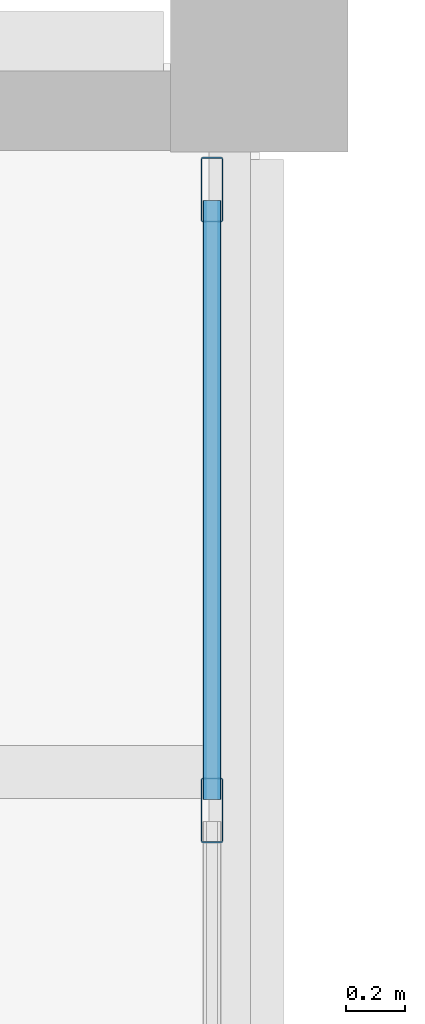
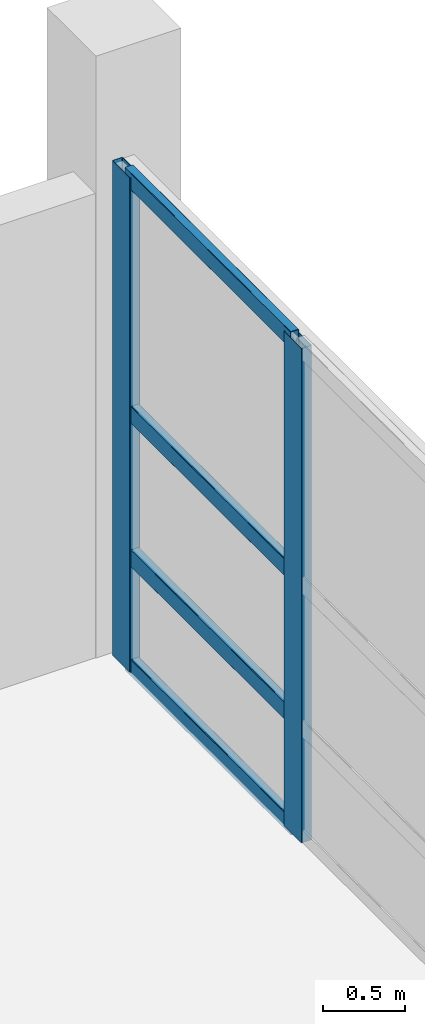
# One storey, part 72 of 123: 6 members, 1 element without a shape of its own.
"""IFC4 building model written with IfcOpenShell, lengths in metres."""

from ifc_helpers import new_model, si_unit, direction, frame, origin, origin_2d, place, context, subcontext, project, spatial, hollow_rectangle, extrude, material, material_profile, profile_set, type_object, element, aggregate, save


model = new_model("IFC4")

# Units and contexts
model_context = context("Model", 3, precision=1e-05, world=origin(), true_north=direction((0.0, 1.0)))
body_context = subcontext(model_context, "Body", "Model", "MODEL_VIEW")
ifc_project = project(units=[si_unit("LENGTHUNIT", "METRE"), si_unit("AREAUNIT", "SQUARE_METRE"), si_unit("VOLUMEUNIT", "CUBIC_METRE"), si_unit("PLANEANGLEUNIT", "RADIAN"), si_unit("MASSUNIT", "GRAM", prefix="KILO")], contexts=[model_context])

# Site, building, storey
site_placement = place(None, origin())
site = spatial("IfcSite", under=ifc_project, at=site_placement, CompositionType="ELEMENT")
building_placement = place(site_placement, origin())
building = spatial("IfcBuilding", under=site, at=building_placement, Name="Kalmorath City Hall", CompositionType="ELEMENT")
storey_placement = place(building_placement, frame((0.0, 0.0, 10.199951171875)))
storey = spatial("IfcBuildingStorey", under=building, at=storey_placement, Name="L02", CompositionType="ELEMENT", Elevation=10.199951171875)

# Curtain wall, members
ifc_material_1 = material(Name="Anodised aluminium and laminated glass", Category="aluminium")
curtain_wall_type = type_object("IfcCurtainWallType", Name="Unitised hurricane curtain wall 6420x3696 M1850", PredefinedType="NOTDEFINED", material=ifc_material_1)
curtain_wall_placement = place(storey_placement, origin())
curtain_wall = element("IfcCurtainWall", 1, at=curtain_wall_placement, inside=storey, type_object=curtain_wall_type, Name="L02 curtain wall CW-64X37M18 #113", PredefinedType="NOTDEFINED")
ifc_material_2 = material(Name="Anodised aluminium framing", Category="aluminium")
ifc_material_profile_1 = material_profile(ifc_material_2, hollow_rectangle(XDim=0.06005859375, YDim=0.1298828125, WallThickness=0.00341796875, InnerFilletRadius=0.00341796875, OuterFilletRadius=0.007080078125, at=origin_2d()), Name="ALU-TRN-130X60X3.5")
ifc_profile_set_1 = profile_set([ifc_material_profile_1], Name="Anodised aluminium framing")
member_type_1 = type_object("IfcMemberType", Name="Curtain-wall courtyard transom 130x60", PredefinedType="USERDEFINED", material=ifc_profile_set_1)
member_1_placement = place(storey_placement, frame((129.43994140625, 114.735107421875, 0.030029296875), z_axis=(0.0, -1.0, 0.0), x_axis=(1.0, 0.0, 0.0)))
member_1 = element("IfcMember", 2, at=member_1_placement, type_object=member_type_1, Name="CW-64X37M18 transom 1.1", ObjectType="TRANSOM", PredefinedType="USERDEFINED", context=body_context, shape_type="SweptSolid", body=[
    extrude(hollow_rectangle(XDim=0.06005859375, YDim=0.1298828125, WallThickness=0.00341796875, InnerFilletRadius=0.00341796875, OuterFilletRadius=0.007080078125, at=origin_2d()), origin(), (0.0, 0.0, 1.0), 2.027587890625),
])
member_2_placement = place(storey_placement, frame((129.43994140625, 114.735107421875, 0.85009765625), z_axis=(0.0, -1.0, 0.0), x_axis=(1.0, 0.0, 0.0)))
member_2 = element("IfcMember", 3, at=member_2_placement, type_object=member_type_1, Name="CW-64X37M18 transom 1.2", ObjectType="TRANSOM", PredefinedType="USERDEFINED", context=body_context, shape_type="SweptSolid", body=[
    extrude(hollow_rectangle(XDim=0.06005859375, YDim=0.1298828125, WallThickness=0.00341796875, InnerFilletRadius=0.00341796875, OuterFilletRadius=0.007080078125, at=origin_2d()), origin(), (0.0, 0.0, 1.0), 2.027587890625),
])
member_3_placement = place(storey_placement, frame((129.43994140625, 114.735107421875, 1.922119140625), z_axis=(0.0, -1.0, 0.0), x_axis=(1.0, 0.0, 0.0)))
member_3 = element("IfcMember", 4, at=member_3_placement, type_object=member_type_1, Name="CW-64X37M18 transom 1.3", ObjectType="TRANSOM", PredefinedType="USERDEFINED", context=body_context, shape_type="SweptSolid", body=[
    extrude(hollow_rectangle(XDim=0.06005859375, YDim=0.1298828125, WallThickness=0.00341796875, InnerFilletRadius=0.00341796875, OuterFilletRadius=0.007080078125, at=origin_2d()), origin(), (0.0, 0.0, 1.0), 2.027587890625),
])
member_4_placement = place(storey_placement, frame((129.43994140625, 114.735107421875, 3.666015625), z_axis=(0.0, -1.0, 0.0), x_axis=(1.0, 0.0, 0.0)))
member_4 = element("IfcMember", 5, at=member_4_placement, type_object=member_type_1, Name="CW-64X37M18 transom 1.4", ObjectType="TRANSOM", PredefinedType="USERDEFINED", context=body_context, shape_type="SweptSolid", body=[
    extrude(hollow_rectangle(XDim=0.06005859375, YDim=0.1298828125, WallThickness=0.00341796875, InnerFilletRadius=0.00341796875, OuterFilletRadius=0.007080078125, at=origin_2d()), origin(), (0.0, 0.0, 1.0), 2.027587890625),
])
ifc_material_3 = material(Name="Anodised aluminium framing", Category="aluminium")
ifc_material_profile_2 = material_profile(ifc_material_3, hollow_rectangle(XDim=0.074951171875, YDim=0.219970703125, WallThickness=0.00390625, InnerFilletRadius=0.00390625, OuterFilletRadius=0.008056640625, at=origin_2d()), Name="ALU-MUL-220X75X4")
ifc_profile_set_2 = profile_set([ifc_material_profile_2], Name="Anodised aluminium framing")
member_type_2 = type_object("IfcMemberType", Name="Curtain-wall primary mullion 220x75", PredefinedType="MULLION", material=ifc_profile_set_2)
member_5_placement = place(storey_placement, frame((129.43994140625, 114.7724609375, 0.0), z_axis=(0.0, 0.0, 1.0), x_axis=(1.0, 0.0, 0.0)))
member_5 = element("IfcMember", 6, at=member_5_placement, type_object=member_type_2, Name="CW-64X37M18 mullion 1", PredefinedType="MULLION", context=body_context, shape_type="SweptSolid", body=[
    extrude(hollow_rectangle(XDim=0.074951171875, YDim=0.219970703125, WallThickness=0.00390625, InnerFilletRadius=0.00390625, OuterFilletRadius=0.008056640625, at=origin_2d()), origin(), (0.0, 0.0, 1.0), 3.696044921875),
])
member_6_placement = place(storey_placement, frame((129.43994140625, 112.669921875, 0.0), z_axis=(0.0, 0.0, 1.0), x_axis=(1.0, 0.0, 0.0)))
member_6 = element("IfcMember", 7, at=member_6_placement, type_object=member_type_2, Name="CW-64X37M18 mullion 2", PredefinedType="MULLION", context=body_context, shape_type="SweptSolid", body=[
    extrude(hollow_rectangle(XDim=0.074951171875, YDim=0.219970703125, WallThickness=0.00390625, InnerFilletRadius=0.00390625, OuterFilletRadius=0.008056640625, at=origin_2d()), origin(), (0.0, 0.0, 1.0), 3.696044921875),
])
aggregate(curtain_wall, [member_5, member_6, member_1, member_2, member_3, member_4])

save(model, "model.ifc")
